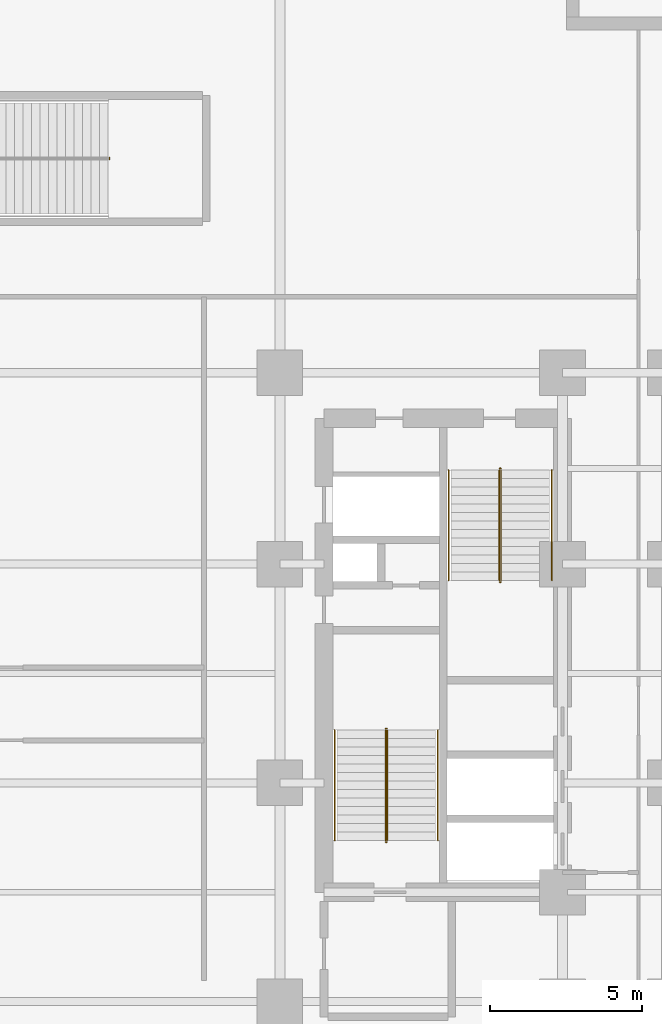
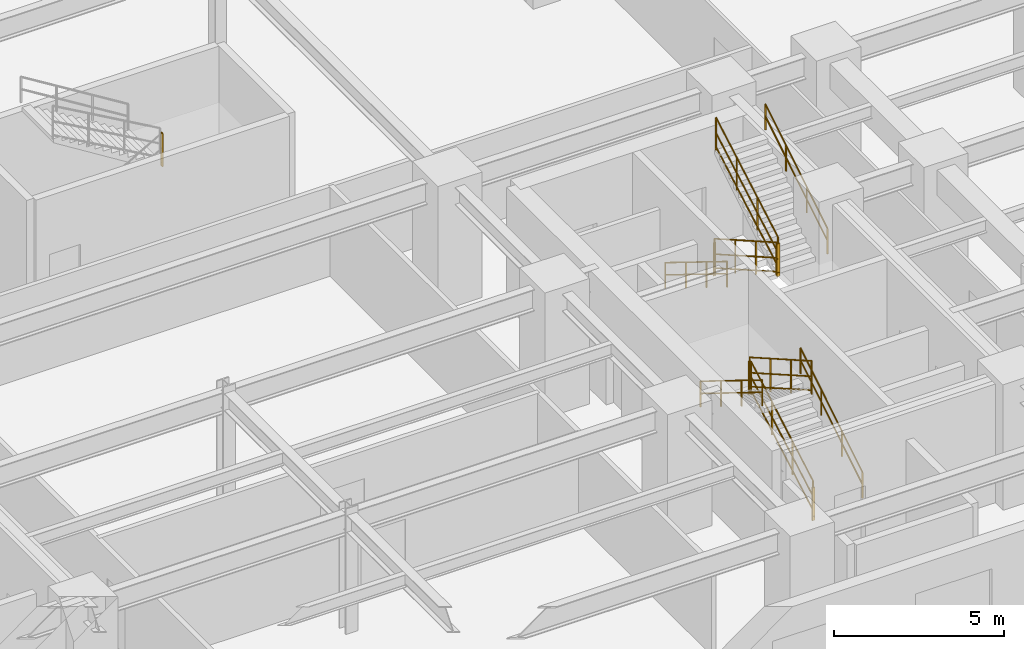
# One storey, part 13 of 15: 13 railings.
"""IFC4 building model written with IfcOpenShell, lengths in metres."""

from ifc_helpers import new_model, entity, si_unit, converted_unit, direction, frame, origin_with_axes, origin_2d_with_axis, place, context, subcontext, project, spatial, rectangle, circle, extrude, material, type_object, element, save


model = new_model("IFC4")

# Units and contexts
model_context = context("Model", 3, precision=1e-05, world=origin_with_axes(), true_north=direction((0.0, 1.0)))
body_context = subcontext(model_context, "Body", "Model", "MODEL_VIEW")
ifc_project = project(units=[si_unit("LENGTHUNIT", "METRE"), si_unit("AREAUNIT", "SQUARE_METRE"), si_unit("VOLUMEUNIT", "CUBIC_METRE"), converted_unit("PLANEANGLEUNIT", "DEGREE", entity("IfcPlaneAngleMeasure", 0.017453292519943295), si_unit("PLANEANGLEUNIT", "RADIAN"), dimensions=[0, 0, 0, 0, 0, 0, 0]), si_unit("MASSUNIT", "GRAM", prefix="KILO"), si_unit("THERMODYNAMICTEMPERATUREUNIT", "KELVIN")], contexts=[model_context])

# Site, building, storey
site_placement = place(None, origin_with_axes())
site = spatial("IfcSite", under=ifc_project, at=site_placement, CompositionType="ELEMENT")
building_placement = place(site_placement, origin_with_axes())
building = spatial("IfcBuilding", under=site, at=building_placement, Name="Varnlund Millrace Tower", CompositionType="ELEMENT")
storey_placement = place(building_placement, frame((0.0, 0.0, 19.8), z_axis=(0.0, 0.0, 1.0), x_axis=(1.0, 0.0, 0.0)))
storey = spatial("IfcBuildingStorey", under=building, at=storey_placement, Name="L04", CompositionType="ELEMENT", Elevation=19.8)

# Railings
ifc_material_1 = material(Name="Painted steel stair well balustrade guard", Category="steel")
railing_type_1 = type_object("IfcRailingType", Name="Type-StairGuard-1150", PredefinedType="GUARDRAIL", material=ifc_material_1)
railing_1_placement = place(storey_placement, frame((0.0, 0.0, -19.8), z_axis=(0.0, 0.0, 1.0), x_axis=(1.0, 0.0, 0.0)))
element("IfcRailing", 1, at=railing_1_placement, inside=storey, type_object=railing_type_1, Name="Type-StairGuard-1150", PredefinedType="GUARDRAIL", context=body_context, shape_type="SweptSolid", body=[
    extrude(circle(Radius=0.024, at=origin_2d_with_axis()), frame((42.275, 8.9, 21.123077), z_axis=(0.0, 0.868559, 0.495585), x_axis=(-1.0, 0.0, 0.0)), (0.0, 0.0, 1.0), 4.190848),
    extrude(circle(Radius=0.024, at=origin_2d_with_axis()), frame((42.275, 8.9, 20.073077), z_axis=(0.0, 0.868559, 0.495585), x_axis=(-1.0, 0.0, 0.0)), (0.0, 0.0, 1.0), 4.190848),
    extrude(circle(Radius=0.024, at=origin_2d_with_axis()), frame((42.275, 8.9, 20.571077), z_axis=(0.0, 0.868559, 0.495585), x_axis=(-1.0, 0.0, 0.0)), (0.0, 0.0, 1.0), 4.190848),
    extrude(rectangle(XDim=0.04, YDim=0.04, at=origin_2d_with_axis()), frame((42.275, 8.9, 19.933077), z_axis=(0.0, 0.0, 1.0), x_axis=(1.0, 0.0, 0.0)), (0.0, 0.0, 1.0), 1.19),
    extrude(rectangle(XDim=0.04, YDim=0.04, at=origin_2d_with_axis()), frame((42.275, 10.113333, 20.625385), z_axis=(0.0, 0.0, 1.0), x_axis=(1.0, 0.0, 0.0)), (0.0, 0.0, 1.0), 1.19),
    extrude(rectangle(XDim=0.04, YDim=0.04, at=origin_2d_with_axis()), frame((42.275, 11.326667, 21.317692), z_axis=(0.0, 0.0, 1.0), x_axis=(1.0, 0.0, 0.0)), (0.0, 0.0, 1.0), 1.19),
    extrude(rectangle(XDim=0.04, YDim=0.04, at=origin_2d_with_axis()), frame((42.275, 12.54, 22.01), z_axis=(0.0, 0.0, 1.0), x_axis=(1.0, 0.0, 0.0)), (0.0, 0.0, 1.0), 1.19),
])
railing_2_placement = place(storey_placement, frame((0.0, 0.0, -19.8), z_axis=(0.0, 0.0, 1.0), x_axis=(1.0, 0.0, 0.0)))
element("IfcRailing", 2, at=railing_2_placement, inside=storey, type_object=railing_type_1, Name="Type-StairGuard-1150", PredefinedType="GUARDRAIL", context=body_context, shape_type="SweptSolid", body=[
    extrude(circle(Radius=0.024, at=origin_2d_with_axis()), frame((42.225, 12.59, 23.2), z_axis=(1.0, 0.0, 0.0), x_axis=(0.0, 1.0, 0.0)), (0.0, 0.0, 1.0), 0.05),
    extrude(circle(Radius=0.024, at=origin_2d_with_axis()), frame((42.225, 12.59, 22.15), z_axis=(1.0, 0.0, 0.0), x_axis=(0.0, 1.0, 0.0)), (0.0, 0.0, 1.0), 0.05),
    extrude(circle(Radius=0.024, at=origin_2d_with_axis()), frame((42.225, 12.59, 22.648), z_axis=(1.0, 0.0, 0.0), x_axis=(0.0, 1.0, 0.0)), (0.0, 0.0, 1.0), 0.05),
    extrude(rectangle(XDim=0.04, YDim=0.04, at=origin_2d_with_axis()), frame((42.225, 12.59, 22.01), z_axis=(0.0, 0.0, 1.0), x_axis=(1.0, 0.0, 0.0)), (0.0, 0.0, 1.0), 1.19),
    extrude(rectangle(XDim=0.04, YDim=0.04, at=origin_2d_with_axis()), frame((42.275, 12.59, 22.01), z_axis=(0.0, 0.0, 1.0), x_axis=(1.0, 0.0, 0.0)), (0.0, 0.0, 1.0), 1.19),
])
railing_3_placement = place(storey_placement, frame((0.0, 0.0, -19.8), z_axis=(0.0, 0.0, 1.0), x_axis=(1.0, 0.0, 0.0)))
element("IfcRailing", 3, at=railing_3_placement, inside=storey, type_object=railing_type_1, Name="Type-StairGuard-1150", PredefinedType="GUARDRAIL", context=body_context, shape_type="SweptSolid", body=[
    extrude(circle(Radius=0.024, at=origin_2d_with_axis()), frame((42.225, 12.54, 23.373077), z_axis=(0.0, -0.868559, 0.495585), x_axis=(1.0, 0.0, 0.0)), (0.0, 0.0, 1.0), 4.190848),
    extrude(circle(Radius=0.024, at=origin_2d_with_axis()), frame((42.225, 12.54, 22.323077), z_axis=(0.0, -0.868559, 0.495585), x_axis=(1.0, 0.0, 0.0)), (0.0, 0.0, 1.0), 4.190848),
    extrude(circle(Radius=0.024, at=origin_2d_with_axis()), frame((42.225, 12.54, 22.821077), z_axis=(0.0, -0.868559, 0.495585), x_axis=(1.0, 0.0, 0.0)), (0.0, 0.0, 1.0), 4.190848),
    extrude(rectangle(XDim=0.04, YDim=0.04, at=origin_2d_with_axis()), frame((42.225, 12.54, 22.183077), z_axis=(0.0, 0.0, 1.0), x_axis=(1.0, 0.0, 0.0)), (0.0, 0.0, 1.0), 1.19),
    extrude(rectangle(XDim=0.04, YDim=0.04, at=origin_2d_with_axis()), frame((42.225, 11.326667, 22.875385), z_axis=(0.0, 0.0, 1.0), x_axis=(1.0, 0.0, 0.0)), (0.0, 0.0, 1.0), 1.19),
    extrude(rectangle(XDim=0.04, YDim=0.04, at=origin_2d_with_axis()), frame((42.225, 10.113333, 23.567692), z_axis=(0.0, 0.0, 1.0), x_axis=(1.0, 0.0, 0.0)), (0.0, 0.0, 1.0), 1.19),
    extrude(rectangle(XDim=0.04, YDim=0.04, at=origin_2d_with_axis()), frame((42.225, 8.9, 24.26), z_axis=(0.0, 0.0, 1.0), x_axis=(1.0, 0.0, 0.0)), (0.0, 0.0, 1.0), 1.19),
])
railing_4_placement = place(storey_placement, frame((0.0, 0.0, -19.8), z_axis=(0.0, 0.0, 1.0), x_axis=(1.0, 0.0, 0.0)))
element("IfcRailing", 4, at=railing_4_placement, inside=storey, type_object=railing_type_1, Name="Type-StairGuard-1150", PredefinedType="GUARDRAIL", context=body_context, shape_type="SweptSolid", body=[
    extrude(circle(Radius=0.024, at=origin_2d_with_axis()), frame((42.225, 8.85, 20.95), z_axis=(1.0, 0.0, 0.0), x_axis=(0.0, 1.0, 0.0)), (0.0, 0.0, 1.0), 0.05),
    extrude(circle(Radius=0.024, at=origin_2d_with_axis()), frame((42.225, 8.85, 19.9), z_axis=(1.0, 0.0, 0.0), x_axis=(0.0, 1.0, 0.0)), (0.0, 0.0, 1.0), 0.05),
    extrude(circle(Radius=0.024, at=origin_2d_with_axis()), frame((42.225, 8.85, 20.398), z_axis=(1.0, 0.0, 0.0), x_axis=(0.0, 1.0, 0.0)), (0.0, 0.0, 1.0), 0.05),
    extrude(rectangle(XDim=0.04, YDim=0.04, at=origin_2d_with_axis()), frame((42.225, 8.85, 19.76), z_axis=(0.0, 0.0, 1.0), x_axis=(1.0, 0.0, 0.0)), (0.0, 0.0, 1.0), 1.19),
    extrude(rectangle(XDim=0.04, YDim=0.04, at=origin_2d_with_axis()), frame((42.275, 8.85, 19.76), z_axis=(0.0, 0.0, 1.0), x_axis=(1.0, 0.0, 0.0)), (0.0, 0.0, 1.0), 1.19),
])
railing_5_placement = place(storey_placement, frame((0.0, 0.0, -19.8), z_axis=(0.0, 0.0, 1.0), x_axis=(1.0, 0.0, 0.0)))
element("IfcRailing", 5, at=railing_5_placement, inside=storey, type_object=railing_type_1, Name="Type-StairGuard-1150", PredefinedType="GUARDRAIL", context=body_context, shape_type="SweptSolid", body=[
    extrude(circle(Radius=0.024, at=origin_2d_with_axis()), frame((45.975, 21.1, 21.123077), z_axis=(0.0, -0.868559, 0.495585), x_axis=(1.0, 0.0, 0.0)), (0.0, 0.0, 1.0), 4.190848),
    extrude(circle(Radius=0.024, at=origin_2d_with_axis()), frame((45.975, 21.1, 20.073077), z_axis=(0.0, -0.868559, 0.495585), x_axis=(1.0, 0.0, 0.0)), (0.0, 0.0, 1.0), 4.190848),
    extrude(circle(Radius=0.024, at=origin_2d_with_axis()), frame((45.975, 21.1, 20.571077), z_axis=(0.0, -0.868559, 0.495585), x_axis=(1.0, 0.0, 0.0)), (0.0, 0.0, 1.0), 4.190848),
    extrude(rectangle(XDim=0.04, YDim=0.04, at=origin_2d_with_axis()), frame((45.975, 21.1, 19.933077), z_axis=(0.0, 0.0, 1.0), x_axis=(1.0, 0.0, 0.0)), (0.0, 0.0, 1.0), 1.19),
    extrude(rectangle(XDim=0.04, YDim=0.04, at=origin_2d_with_axis()), frame((45.975, 19.886667, 20.625385), z_axis=(0.0, 0.0, 1.0), x_axis=(1.0, 0.0, 0.0)), (0.0, 0.0, 1.0), 1.19),
    extrude(rectangle(XDim=0.04, YDim=0.04, at=origin_2d_with_axis()), frame((45.975, 18.673333, 21.317692), z_axis=(0.0, 0.0, 1.0), x_axis=(1.0, 0.0, 0.0)), (0.0, 0.0, 1.0), 1.19),
    extrude(rectangle(XDim=0.04, YDim=0.04, at=origin_2d_with_axis()), frame((45.975, 17.46, 22.01), z_axis=(0.0, 0.0, 1.0), x_axis=(1.0, 0.0, 0.0)), (0.0, 0.0, 1.0), 1.19),
])
railing_6_placement = place(storey_placement, frame((0.0, 0.0, -19.8), z_axis=(0.0, 0.0, 1.0), x_axis=(1.0, 0.0, 0.0)))
element("IfcRailing", 6, at=railing_6_placement, inside=storey, type_object=railing_type_1, Name="Type-StairGuard-1150", PredefinedType="GUARDRAIL", context=body_context, shape_type="SweptSolid", body=[
    extrude(circle(Radius=0.024, at=origin_2d_with_axis()), frame((46.025, 17.41, 23.2), z_axis=(-1.0, 0.0, 0.0), x_axis=(0.0, -1.0, 0.0)), (0.0, 0.0, 1.0), 0.05),
    extrude(circle(Radius=0.024, at=origin_2d_with_axis()), frame((46.025, 17.41, 22.15), z_axis=(-1.0, 0.0, 0.0), x_axis=(0.0, -1.0, 0.0)), (0.0, 0.0, 1.0), 0.05),
    extrude(circle(Radius=0.024, at=origin_2d_with_axis()), frame((46.025, 17.41, 22.648), z_axis=(-1.0, 0.0, 0.0), x_axis=(0.0, -1.0, 0.0)), (0.0, 0.0, 1.0), 0.05),
    extrude(rectangle(XDim=0.04, YDim=0.04, at=origin_2d_with_axis()), frame((46.025, 17.41, 22.01), z_axis=(0.0, 0.0, 1.0), x_axis=(1.0, 0.0, 0.0)), (0.0, 0.0, 1.0), 1.19),
    extrude(rectangle(XDim=0.04, YDim=0.04, at=origin_2d_with_axis()), frame((45.975, 17.41, 22.01), z_axis=(0.0, 0.0, 1.0), x_axis=(1.0, 0.0, 0.0)), (0.0, 0.0, 1.0), 1.19),
])
railing_7_placement = place(storey_placement, frame((0.0, 0.0, -19.8), z_axis=(0.0, 0.0, 1.0), x_axis=(1.0, 0.0, 0.0)))
element("IfcRailing", 7, at=railing_7_placement, inside=storey, type_object=railing_type_1, Name="Type-StairGuard-1150", PredefinedType="GUARDRAIL", context=body_context, shape_type="SweptSolid", body=[
    extrude(circle(Radius=0.024, at=origin_2d_with_axis()), frame((46.025, 17.46, 23.373077), z_axis=(0.0, 0.868559, 0.495585), x_axis=(-1.0, 0.0, 0.0)), (0.0, 0.0, 1.0), 4.190848),
    extrude(circle(Radius=0.024, at=origin_2d_with_axis()), frame((46.025, 17.46, 22.323077), z_axis=(0.0, 0.868559, 0.495585), x_axis=(-1.0, 0.0, 0.0)), (0.0, 0.0, 1.0), 4.190848),
    extrude(circle(Radius=0.024, at=origin_2d_with_axis()), frame((46.025, 17.46, 22.821077), z_axis=(0.0, 0.868559, 0.495585), x_axis=(-1.0, 0.0, 0.0)), (0.0, 0.0, 1.0), 4.190848),
    extrude(rectangle(XDim=0.04, YDim=0.04, at=origin_2d_with_axis()), frame((46.025, 17.46, 22.183077), z_axis=(0.0, 0.0, 1.0), x_axis=(1.0, 0.0, 0.0)), (0.0, 0.0, 1.0), 1.19),
    extrude(rectangle(XDim=0.04, YDim=0.04, at=origin_2d_with_axis()), frame((46.025, 18.673333, 22.875385), z_axis=(0.0, 0.0, 1.0), x_axis=(1.0, 0.0, 0.0)), (0.0, 0.0, 1.0), 1.19),
    extrude(rectangle(XDim=0.04, YDim=0.04, at=origin_2d_with_axis()), frame((46.025, 19.886667, 23.567692), z_axis=(0.0, 0.0, 1.0), x_axis=(1.0, 0.0, 0.0)), (0.0, 0.0, 1.0), 1.19),
    extrude(rectangle(XDim=0.04, YDim=0.04, at=origin_2d_with_axis()), frame((46.025, 21.1, 24.26), z_axis=(0.0, 0.0, 1.0), x_axis=(1.0, 0.0, 0.0)), (0.0, 0.0, 1.0), 1.19),
])
railing_8_placement = place(storey_placement, frame((0.0, 0.0, -19.8), z_axis=(0.0, 0.0, 1.0), x_axis=(1.0, 0.0, 0.0)))
element("IfcRailing", 8, at=railing_8_placement, inside=storey, type_object=railing_type_1, Name="Type-StairGuard-1150", PredefinedType="GUARDRAIL", context=body_context, shape_type="SweptSolid", body=[
    extrude(circle(Radius=0.024, at=origin_2d_with_axis()), frame((46.025, 21.15, 20.95), z_axis=(-1.0, 0.0, 0.0), x_axis=(0.0, -1.0, 0.0)), (0.0, 0.0, 1.0), 0.05),
    extrude(circle(Radius=0.024, at=origin_2d_with_axis()), frame((46.025, 21.15, 19.9), z_axis=(-1.0, 0.0, 0.0), x_axis=(0.0, -1.0, 0.0)), (0.0, 0.0, 1.0), 0.05),
    extrude(circle(Radius=0.024, at=origin_2d_with_axis()), frame((46.025, 21.15, 20.398), z_axis=(-1.0, 0.0, 0.0), x_axis=(0.0, -1.0, 0.0)), (0.0, 0.0, 1.0), 0.05),
    extrude(rectangle(XDim=0.04, YDim=0.04, at=origin_2d_with_axis()), frame((46.025, 21.15, 19.76), z_axis=(0.0, 0.0, 1.0), x_axis=(1.0, 0.0, 0.0)), (0.0, 0.0, 1.0), 1.19),
    extrude(rectangle(XDim=0.04, YDim=0.04, at=origin_2d_with_axis()), frame((45.975, 21.15, 19.76), z_axis=(0.0, 0.0, 1.0), x_axis=(1.0, 0.0, 0.0)), (0.0, 0.0, 1.0), 1.19),
])
railing_9_placement = place(storey_placement, frame((0.0, 0.0, -19.8), z_axis=(0.0, 0.0, 1.0), x_axis=(1.0, 0.0, 0.0)))
element("IfcRailing", 9, at=railing_9_placement, inside=storey, type_object=railing_type_1, Name="Type-StairGuard-1150", PredefinedType="GUARDRAIL", context=body_context, shape_type="SweptSolid", body=[
    extrude(circle(Radius=0.024, at=origin_2d_with_axis()), frame((33.14, 31.375, 23.2), z_axis=(0.0, -1.0, 0.0), x_axis=(1.0, 0.0, 0.0)), (0.0, 0.0, 1.0), 0.05),
    extrude(circle(Radius=0.024, at=origin_2d_with_axis()), frame((33.14, 31.375, 22.15), z_axis=(0.0, -1.0, 0.0), x_axis=(1.0, 0.0, 0.0)), (0.0, 0.0, 1.0), 0.05),
    extrude(circle(Radius=0.024, at=origin_2d_with_axis()), frame((33.14, 31.375, 22.648), z_axis=(0.0, -1.0, 0.0), x_axis=(1.0, 0.0, 0.0)), (0.0, 0.0, 1.0), 0.05),
    extrude(rectangle(XDim=0.04, YDim=0.04, at=origin_2d_with_axis()), frame((33.14, 31.375, 22.01), z_axis=(0.0, 0.0, 1.0), x_axis=(1.0, 0.0, 0.0)), (0.0, 0.0, 1.0), 1.19),
    extrude(rectangle(XDim=0.04, YDim=0.04, at=origin_2d_with_axis()), frame((33.14, 31.325, 22.01), z_axis=(0.0, 0.0, 1.0), x_axis=(1.0, 0.0, 0.0)), (0.0, 0.0, 1.0), 1.19),
])
ifc_material_2 = material(Name="Brushed architectural bronze stair handrail", Category="aluminium")
railing_type_2 = type_object("IfcRailingType", Name="Type-StairHandrail-900", PredefinedType="HANDRAIL", material=ifc_material_2)
railing_10_placement = place(storey_placement, frame((0.0, 0.0, -19.8), z_axis=(0.0, 0.0, 1.0), x_axis=(1.0, 0.0, 0.0)))
element("IfcRailing", 10, at=railing_10_placement, inside=storey, type_object=railing_type_2, Name="Type-StairHandrail-900", PredefinedType="HANDRAIL", context=body_context, shape_type="SweptSolid", body=[
    extrude(circle(Radius=0.024, at=origin_2d_with_axis()), frame((43.95, 8.9, 20.852662), z_axis=(0.0, 0.850614, 0.525791), x_axis=(-1.0, 0.0, 0.0)), (0.0, 0.0, 1.0), 4.279264),
    extrude(circle(Radius=0.024, at=origin_2d_with_axis()), frame((43.95, 8.9, 20.41287), z_axis=(0.0, 0.850614, 0.525791), x_axis=(-1.0, 0.0, 0.0)), (0.0, 0.0, 1.0), 4.279264),
    extrude(rectangle(XDim=0.04, YDim=0.04, at=origin_2d_with_axis()), frame((43.95, 8.9, 19.933077), z_axis=(0.0, 0.0, 1.0), x_axis=(1.0, 0.0, 0.0)), (0.0, 0.0, 1.0), 0.919585),
    extrude(rectangle(XDim=0.04, YDim=0.04, at=origin_2d_with_axis()), frame((43.95, 10.113333, 20.683077), z_axis=(0.0, 0.0, 1.0), x_axis=(1.0, 0.0, 0.0)), (0.0, 0.0, 1.0), 0.919585),
    extrude(rectangle(XDim=0.04, YDim=0.04, at=origin_2d_with_axis()), frame((43.95, 11.326667, 21.433077), z_axis=(0.0, 0.0, 1.0), x_axis=(1.0, 0.0, 0.0)), (0.0, 0.0, 1.0), 0.919585),
    extrude(rectangle(XDim=0.04, YDim=0.04, at=origin_2d_with_axis()), frame((43.95, 12.54, 22.183077), z_axis=(0.0, 0.0, 1.0), x_axis=(1.0, 0.0, 0.0)), (0.0, 0.0, 1.0), 0.919585),
])
railing_11_placement = place(storey_placement, frame((0.0, 0.0, -19.8), z_axis=(0.0, 0.0, 1.0), x_axis=(1.0, 0.0, 0.0)))
element("IfcRailing", 11, at=railing_11_placement, inside=storey, type_object=railing_type_2, Name="Type-StairHandrail-900", PredefinedType="HANDRAIL", context=body_context, shape_type="SweptSolid", body=[
    extrude(circle(Radius=0.024, at=origin_2d_with_axis()), frame((40.55, 12.54, 23.102662), z_axis=(0.0, -0.850614, 0.525791), x_axis=(1.0, 0.0, 0.0)), (0.0, 0.0, 1.0), 4.279264),
    extrude(circle(Radius=0.024, at=origin_2d_with_axis()), frame((40.55, 12.54, 22.66287), z_axis=(0.0, -0.850614, 0.525791), x_axis=(1.0, 0.0, 0.0)), (0.0, 0.0, 1.0), 4.279264),
    extrude(rectangle(XDim=0.04, YDim=0.04, at=origin_2d_with_axis()), frame((40.55, 12.54, 22.183077), z_axis=(0.0, 0.0, 1.0), x_axis=(1.0, 0.0, 0.0)), (0.0, 0.0, 1.0), 0.919585),
    extrude(rectangle(XDim=0.04, YDim=0.04, at=origin_2d_with_axis()), frame((40.55, 11.326667, 22.933077), z_axis=(0.0, 0.0, 1.0), x_axis=(1.0, 0.0, 0.0)), (0.0, 0.0, 1.0), 0.919585),
    extrude(rectangle(XDim=0.04, YDim=0.04, at=origin_2d_with_axis()), frame((40.55, 10.113333, 23.683077), z_axis=(0.0, 0.0, 1.0), x_axis=(1.0, 0.0, 0.0)), (0.0, 0.0, 1.0), 0.919585),
    extrude(rectangle(XDim=0.04, YDim=0.04, at=origin_2d_with_axis()), frame((40.55, 8.9, 24.433077), z_axis=(0.0, 0.0, 1.0), x_axis=(1.0, 0.0, 0.0)), (0.0, 0.0, 1.0), 0.919585),
])
railing_12_placement = place(storey_placement, frame((0.0, 0.0, -19.8), z_axis=(0.0, 0.0, 1.0), x_axis=(1.0, 0.0, 0.0)))
element("IfcRailing", 12, at=railing_12_placement, inside=storey, type_object=railing_type_2, Name="Type-StairHandrail-900", PredefinedType="HANDRAIL", context=body_context, shape_type="SweptSolid", body=[
    extrude(circle(Radius=0.024, at=origin_2d_with_axis()), frame((44.3, 21.1, 20.852662), z_axis=(0.0, -0.850614, 0.525791), x_axis=(1.0, 0.0, 0.0)), (0.0, 0.0, 1.0), 4.279264),
    extrude(circle(Radius=0.024, at=origin_2d_with_axis()), frame((44.3, 21.1, 20.41287), z_axis=(0.0, -0.850614, 0.525791), x_axis=(1.0, 0.0, 0.0)), (0.0, 0.0, 1.0), 4.279264),
    extrude(rectangle(XDim=0.04, YDim=0.04, at=origin_2d_with_axis()), frame((44.3, 21.1, 19.933077), z_axis=(0.0, 0.0, 1.0), x_axis=(1.0, 0.0, 0.0)), (0.0, 0.0, 1.0), 0.919585),
    extrude(rectangle(XDim=0.04, YDim=0.04, at=origin_2d_with_axis()), frame((44.3, 19.886667, 20.683077), z_axis=(0.0, 0.0, 1.0), x_axis=(1.0, 0.0, 0.0)), (0.0, 0.0, 1.0), 0.919585),
    extrude(rectangle(XDim=0.04, YDim=0.04, at=origin_2d_with_axis()), frame((44.3, 18.673333, 21.433077), z_axis=(0.0, 0.0, 1.0), x_axis=(1.0, 0.0, 0.0)), (0.0, 0.0, 1.0), 0.919585),
    extrude(rectangle(XDim=0.04, YDim=0.04, at=origin_2d_with_axis()), frame((44.3, 17.46, 22.183077), z_axis=(0.0, 0.0, 1.0), x_axis=(1.0, 0.0, 0.0)), (0.0, 0.0, 1.0), 0.919585),
])
railing_13_placement = place(storey_placement, frame((0.0, 0.0, -19.8), z_axis=(0.0, 0.0, 1.0), x_axis=(1.0, 0.0, 0.0)))
element("IfcRailing", 13, at=railing_13_placement, inside=storey, type_object=railing_type_2, Name="Type-StairHandrail-900", PredefinedType="HANDRAIL", context=body_context, shape_type="SweptSolid", body=[
    extrude(circle(Radius=0.024, at=origin_2d_with_axis()), frame((47.7, 17.46, 23.102662), z_axis=(0.0, 0.850614, 0.525791), x_axis=(-1.0, 0.0, 0.0)), (0.0, 0.0, 1.0), 4.279264),
    extrude(circle(Radius=0.024, at=origin_2d_with_axis()), frame((47.7, 17.46, 22.66287), z_axis=(0.0, 0.850614, 0.525791), x_axis=(-1.0, 0.0, 0.0)), (0.0, 0.0, 1.0), 4.279264),
    extrude(rectangle(XDim=0.04, YDim=0.04, at=origin_2d_with_axis()), frame((47.7, 17.46, 22.183077), z_axis=(0.0, 0.0, 1.0), x_axis=(1.0, 0.0, 0.0)), (0.0, 0.0, 1.0), 0.919585),
    extrude(rectangle(XDim=0.04, YDim=0.04, at=origin_2d_with_axis()), frame((47.7, 18.673333, 22.933077), z_axis=(0.0, 0.0, 1.0), x_axis=(1.0, 0.0, 0.0)), (0.0, 0.0, 1.0), 0.919585),
    extrude(rectangle(XDim=0.04, YDim=0.04, at=origin_2d_with_axis()), frame((47.7, 19.886667, 23.683077), z_axis=(0.0, 0.0, 1.0), x_axis=(1.0, 0.0, 0.0)), (0.0, 0.0, 1.0), 0.919585),
    extrude(rectangle(XDim=0.04, YDim=0.04, at=origin_2d_with_axis()), frame((47.7, 21.1, 24.433077), z_axis=(0.0, 0.0, 1.0), x_axis=(1.0, 0.0, 0.0)), (0.0, 0.0, 1.0), 0.919585),
])

save(model, "model.ifc")
